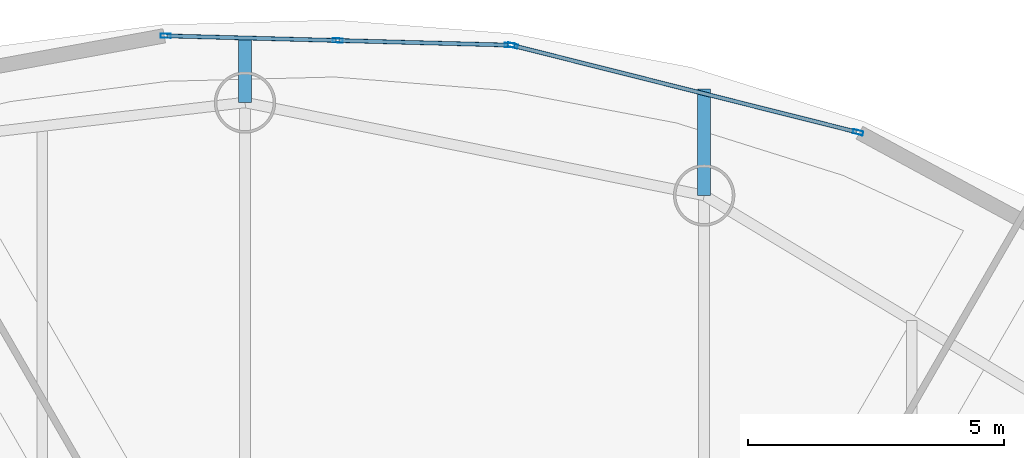
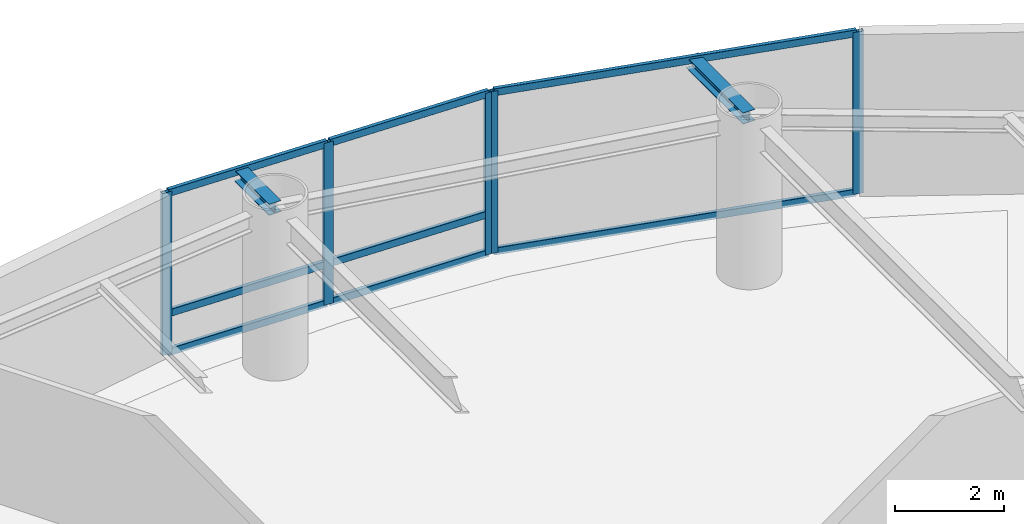
# One storey, part 12 of 20: 13 members, 2 beams, 2 elements without a shape of their own.
"""IFC4 building model written with IfcOpenShell, lengths in metres."""

import ifcopenshell
import ifcopenshell.guid

model = None  # the IFC model being written
_history = None  # IfcOwnerHistory: only IFC2X3 demands one
_inside = {}  # id of a spatial element -> (the spatial element, [elements in it])
_under = {}  # id of a project, library or spatial element -> (it, [spatial elements below it])
_declared = {}  # id of a project -> (the project, [libraries it declares])
_typed = {}  # id of a type object -> (the type object, [elements of that type])
_made_of = {}  # id of a material, layer set ... -> (it, [elements and type objects made of it])


def new_model(schema):
    """Start an empty IFC model of exactly this schema.

    Asked for "IFC4X3", IfcOpenShell would pick the latest addendum, in which some entities
    have other attributes; the version numbers below select the first issue.
    IFC2X3 requires an IfcOwnerHistory on every rooted entity: one is made here for all.
    """
    global model, _history
    if schema == "IFC4X3":
        model = ifcopenshell.file(schema_version=(4, 3, 0, 0))
    else:
        model = ifcopenshell.file(schema=schema)
    _inside.clear()
    _under.clear()
    _declared.clear()
    _typed.clear()
    _made_of.clear()
    _history = None
    if model.schema == "IFC2X3":
        org = make("IfcOrganization", Name="unknown")
        user = make(
            "IfcPersonAndOrganization",
            ThePerson=make("IfcPerson", FamilyName="unknown"),
            TheOrganization=org,
        )
        app = make(
            "IfcApplication",
            ApplicationDeveloper=org,
            Version="unknown",
            ApplicationFullName="unknown",
            ApplicationIdentifier="unknown",
        )
        _history = make(
            "IfcOwnerHistory",
            OwningUser=user,
            OwningApplication=app,
            ChangeAction="ADDED",
            CreationDate=0,
        )
    return model


def make(cls, **values):
    """One entity of the class cls with the attributes given. An attribute that is None is left unset."""
    return model.create_entity(
        cls, **{name: value for name, value in values.items() if value is not None}
    )


def rooted(cls, **values):
    """An entity with a GlobalId (a new one), such as an element, a storey or a relation."""
    return make(cls, GlobalId=ifcopenshell.guid.new(), OwnerHistory=_history, **values)


def si_unit(unit_type, name, prefix=None):
    """IfcSIUnit, for example si_unit("LENGTHUNIT", "METRE", prefix="MILLI")."""
    return make("IfcSIUnit", UnitType=unit_type, Prefix=prefix, Name=name)


def assignment(units):
    """IfcUnitAssignment: the units of a project."""
    return None if units is None else make("IfcUnitAssignment", Units=units)


def point(xyz):
    """IfcCartesianPoint."""
    return None if xyz is None else make("IfcCartesianPoint", Coordinates=xyz)


def direction(xyz):
    """IfcDirection."""
    return None if xyz is None else make("IfcDirection", DirectionRatios=xyz)


def frame(location, z_axis=None, x_axis=None):
    """IfcAxis2Placement3D, a coordinate frame: its origin and axes. An axis left out is left unset."""
    return make(
        "IfcAxis2Placement3D",
        Location=point(location),
        Axis=direction(z_axis),
        RefDirection=direction(x_axis),
    )


def frame_2d(location, x_axis=None):
    """IfcAxis2Placement2D, a coordinate frame in the plane: its origin and x axis."""
    return make(
        "IfcAxis2Placement2D", Location=point(location), RefDirection=direction(x_axis)
    )


def origin():
    """The frame at (0, 0, 0) with its axes left unset."""
    return frame((0.0, 0.0, 0.0))


def origin_2d():
    """The frame at (0, 0) in the plane with its x axis left unset."""
    return frame_2d((0.0, 0.0))


def place(relative_to, where):
    """IfcLocalPlacement: puts the frame where relative to a parent placement (None: the world)."""
    return make(
        "IfcLocalPlacement", PlacementRelTo=relative_to, RelativePlacement=where
    )


def context(
    kind, dimensions, precision=None, world=None, true_north=None, identifier=None
):
    """IfcGeometricRepresentationContext, for example the 3D "Model" context."""
    return make(
        "IfcGeometricRepresentationContext",
        ContextIdentifier=identifier,
        ContextType=kind,
        CoordinateSpaceDimension=dimensions,
        Precision=precision,
        WorldCoordinateSystem=world,
        TrueNorth=true_north,
    )


def subcontext(parent, identifier, kind, view, scale=None):
    """IfcGeometricRepresentationSubContext, for example "Body" below "Model"."""
    return make(
        "IfcGeometricRepresentationSubContext",
        ContextIdentifier=identifier,
        ContextType=kind,
        ParentContext=parent,
        TargetScale=scale,
        TargetView=view,
    )


def project(units=None, contexts=None):
    """IfcProject with its units and contexts."""
    return rooted(
        "IfcProject",
        Name="project",
        RepresentationContexts=contexts,
        UnitsInContext=assignment(units),
    )


def spatial(cls, under=None, at=None, **own):
    """A site, building, storey or space (cls), placed at a placement, below another one or the project."""
    s = rooted(cls, ObjectPlacement=at, **own)
    if under is not None:
        _under.setdefault(under.id(), (under, []))[1].append(s)
    return s


def profile(cls, at=None, kind="AREA", **sizes):
    """A parametric profile (cls). Its sizes go by their IFC names, for example OverallWidth=200.0."""
    return make(cls, ProfileType=kind, Position=at, **sizes)


def hollow_rectangle(**sizes):
    """IfcRectangleHollowProfileDef."""
    return profile("IfcRectangleHollowProfileDef", **sizes)


def i_section(**sizes):
    """IfcIShapeProfileDef."""
    return profile("IfcIShapeProfileDef", **sizes)


def extrude(swept, where, along, depth):
    """IfcExtrudedAreaSolid: the profile swept, set in the frame where, extruded along a direction by depth."""
    return make(
        "IfcExtrudedAreaSolid",
        SweptArea=swept,
        Position=where,
        ExtrudedDirection=direction(along),
        Depth=depth,
    )


def shape(context_of_items, identifier, shape_type, items):
    """IfcShapeRepresentation: the items that make up one representation, for example the "Body"."""
    return make(
        "IfcShapeRepresentation",
        ContextOfItems=context_of_items,
        RepresentationIdentifier=identifier,
        RepresentationType=shape_type,
        Items=items,
    )


def material(Name=None, Category=None):
    """IfcMaterial."""
    return make("IfcMaterial", Name=Name, Category=Category)


def layer(
    of_material, thickness, ventilated=None, Name=None, Category=None, Priority=None
):
    """IfcMaterialLayer: one layer of a wall or slab, of a material (None: an air gap)."""
    return make(
        "IfcMaterialLayer",
        Material=of_material,
        LayerThickness=thickness,
        IsVentilated=ventilated,
        Name=Name,
        Category=Category,
        Priority=Priority,
    )


def layer_set(layers, Name=None):
    """IfcMaterialLayerSet."""
    return make("IfcMaterialLayerSet", MaterialLayers=layers, LayerSetName=Name)


def material_profile(
    of_material, cross_section, Name=None, Category=None, Priority=None
):
    """IfcMaterialProfile: a cross section and its material."""
    return make(
        "IfcMaterialProfile",
        Name=Name,
        Material=of_material,
        Profile=cross_section,
        Priority=Priority,
        Category=Category,
    )


def profile_set(profiles, Name=None, composite=None):
    """IfcMaterialProfileSet."""
    return make(
        "IfcMaterialProfileSet",
        Name=Name,
        MaterialProfiles=profiles,
        CompositeProfile=composite,
    )


def made_of(thing, what):
    """Note that an element or type object is made of a material, layer set ...; save() writes the relation."""
    if what is not None:
        _made_of.setdefault(what.id(), (what, []))[1].append(thing)
    return thing


def type_object(cls, material=None, **own):
    """A type object (cls), such as IfcWallType, which elements share."""
    return made_of(rooted(cls, **own), material)


def element(
    cls,
    number,
    at=None,
    inside=None,
    cuts=None,
    type_object=None,
    material=None,
    context=None,
    identifier="Body",
    shape_type=None,
    held_by="IfcProductDefinitionShape",
    body=None,
    shapes=None,
    **own,
):
    """One element of the class cls, such as IfcWall. Its Tag is "e" and its number.

    at: its placement. inside: the storey or other place that contains it. cuts: it is an
    opening in that element (IfcRelVoidsElement). A single representation is given by context,
    identifier, shape_type and body (its items); several are given by shapes. held_by: the class
    of the entity that holds the representations. save() writes the other relations.
    """
    e = rooted(cls, Tag="e%d" % number, ObjectPlacement=at, **own)
    if body is not None:
        shapes = [shape(context, identifier, shape_type, body)]
    if shapes is not None:
        e.Representation = make(held_by, Representations=shapes)
    if inside is not None:
        _inside.setdefault(inside.id(), (inside, []))[1].append(e)
    if cuts is not None:
        rooted(
            "IfcRelVoidsElement", RelatingBuildingElement=cuts, RelatedOpeningElement=e
        )
    if type_object is not None:
        _typed.setdefault(type_object.id(), (type_object, []))[1].append(e)
    return made_of(e, material)


def aggregate(whole, parts):
    """IfcRelAggregates: a whole, such as a stair, and the parts it consists of."""
    return rooted("IfcRelAggregates", RelatingObject=whole, RelatedObjects=parts)


def save(model, path):
    """Write the relations noted so far, then the file.

    IfcRelAggregates (storeys below a building ...), IfcRelContainedInSpatialStructure (elements
    in a storey), IfcRelDefinesByType, IfcRelAssociatesMaterial and IfcRelDeclares: one each for
    every whole, place, type object, material and project.
    """
    for whole, parts in _under.values():
        aggregate(whole, parts)
    for where, things in _inside.values():
        rooted(
            "IfcRelContainedInSpatialStructure",
            RelatedElements=things,
            RelatingStructure=where,
        )
    for kind, things in _typed.values():
        rooted("IfcRelDefinesByType", RelatedObjects=things, RelatingType=kind)
    for what, things in _made_of.values():
        rooted("IfcRelAssociatesMaterial", RelatedObjects=things, RelatingMaterial=what)
    for by, libraries in _declared.values():
        rooted("IfcRelDeclares", RelatingContext=by, RelatedDefinitions=libraries)
    model.write(path)


model = new_model("IFC4")

# Units and contexts
model_context = context("Model", 3, precision=1e-05, world=origin(), true_north=direction((0.0, 1.0)))
body_context = subcontext(model_context, "Body", "Model", "MODEL_VIEW")
ifc_project = project(units=[si_unit("LENGTHUNIT", "METRE"), si_unit("AREAUNIT", "SQUARE_METRE"), si_unit("VOLUMEUNIT", "CUBIC_METRE"), si_unit("PLANEANGLEUNIT", "RADIAN"), si_unit("MASSUNIT", "GRAM", prefix="KILO")], contexts=[model_context])

# Site, building, storey
site_placement = place(None, origin())
site = spatial("IfcSite", under=ifc_project, at=site_placement, CompositionType="ELEMENT")
building_placement = place(site_placement, origin())
building = spatial("IfcBuilding", under=site, at=building_placement, Name="Bramvorn Convention Spire", CompositionType="ELEMENT")
storey_placement = place(building_placement, frame((0.0, 0.0, 175.050048828125)))
storey = spatial("IfcBuildingStorey", under=building, at=storey_placement, Name="L44", CompositionType="ELEMENT", Elevation=175.050048828125)

# Beams
ifc_material_1 = material(Name="Steel CSA G40.21 Grade 350 (350W)", Category="steel")
ifc_material_profile_1 = material_profile(ifc_material_1, i_section(OverallWidth=0.25390625, OverallDepth=0.2529296875, WebThickness=0.008544921875, FlangeThickness=0.01416015625, FilletRadius=0.011962890625, at=origin_2d()))
ifc_profile_set_1 = profile_set([ifc_material_profile_1], Name="Steel CSA G40.21 Grade 350 (350W) - W250X73")
beam_type = type_object("IfcBeamType", Name="BM-W250X73", PredefinedType="BEAM", material=ifc_profile_set_1)
beam_1_placement = place(storey_placement, frame((42.38916015625, 44.772216796875, 3.493408203125), z_axis=(0.0, 1.0, 0.0), x_axis=(-1.0, 0.0, 0.0)))
element("IfcBeam", 1, at=beam_1_placement, inside=storey, type_object=beam_type, Name="L44 slab-edge cantilever tip beam MC06", PredefinedType="BEAM", context=body_context, shape_type="SweptSolid", body=[
    extrude(i_section(OverallWidth=0.25390625, OverallDepth=0.2529296875, WebThickness=0.008544921875, FlangeThickness=0.01416015625, FilletRadius=0.011962890625, at=origin_2d()), origin(), (0.0, 0.0, 1.0), 2.082275390625),
])
beam_2_placement = place(storey_placement, frame((33.416259765625, 46.58837890625, 3.493408203125), z_axis=(0.0, 1.0, 0.0), x_axis=(-1.0, 0.0, 0.0)))
element("IfcBeam", 2, at=beam_2_placement, inside=storey, type_object=beam_type, Name="L44 slab-edge cantilever tip beam MC07", PredefinedType="BEAM", context=body_context, shape_type="SweptSolid", body=[
    extrude(i_section(OverallWidth=0.25390625, OverallDepth=0.2529296875, WebThickness=0.008544921875, FlangeThickness=0.01416015625, FilletRadius=0.011962890625, at=origin_2d()), origin(), (0.0, 0.0, 1.0), 1.273681640625),
])

# Curtain wall, members
ifc_material_2 = material(Name="Anodised Bronze Unitised Curtain Wall", Category="aluminium")
ifc_layer = layer(ifc_material_2, 0.179931640625)
ifc_layer_set = layer_set([ifc_layer], Name="Anodised Bronze Unitised Curtain Wall - CW-OFF-FRIT")
curtain_wall_type = type_object("IfcCurtainWallType", Name="CW-OFF-FRIT", PredefinedType="USERDEFINED", material=ifc_layer_set)
curtain_wall_1_placement = place(storey_placement, origin())
curtain_wall_1 = element("IfcCurtainWall", 3, at=curtain_wall_1_placement, inside=storey, type_object=curtain_wall_type, Name="L44 fritted glass curtain wall 08", ObjectType="UNITISED CURTAIN WALL", PredefinedType="USERDEFINED")
ifc_material_3 = material(Name="Anodised Bronze Aluminium 6063-T6", Category="aluminium")
ifc_material_profile_2 = material_profile(ifc_material_3, hollow_rectangle(XDim=0.080078125, YDim=0.199951171875, WallThickness=0.00390625, InnerFilletRadius=0.0009765625, OuterFilletRadius=0.00390625, at=origin_2d()))
ifc_profile_set_2 = profile_set([ifc_material_profile_2], Name="Anodised Bronze Aluminium 6063-T6 - CWM80X200")
member_type_1 = type_object("IfcMemberType", Name="CW-MUL-180", PredefinedType="MULLION", material=ifc_profile_set_2)
member_1_placement = place(storey_placement, frame((38.648681640625, 47.701171875, 0.0), z_axis=(0.0, 0.0, 1.0), x_axis=(0.24378605546, 0.969829036049, 0.0)))
member_1 = element("IfcMember", 4, at=member_1_placement, type_object=member_type_1, Name="CW3 mullion 1", PredefinedType="MULLION", context=body_context, shape_type="SweptSolid", body=[
    extrude(hollow_rectangle(XDim=0.080078125, YDim=0.199951171875, WallThickness=0.00390625, InnerFilletRadius=0.0009765625, OuterFilletRadius=0.00390625, at=origin_2d()), origin(), (0.0, 0.0, 1.0), 3.619873046875),
])
member_2_placement = place(storey_placement, frame((45.396240234375, 46.005126953125, 0.0), z_axis=(0.0, 0.0, 1.0), x_axis=(0.24378605546, 0.969829036049, 0.0)))
member_2 = element("IfcMember", 5, at=member_2_placement, type_object=member_type_1, Name="CW3 mullion 2", PredefinedType="MULLION", context=body_context, shape_type="SweptSolid", body=[
    extrude(hollow_rectangle(XDim=0.080078125, YDim=0.199951171875, WallThickness=0.00390625, InnerFilletRadius=0.0009765625, OuterFilletRadius=0.00390625, at=origin_2d()), origin(), (0.0, 0.0, 1.0), 3.619873046875),
])

curtain_wall_2_placement = place(storey_placement, origin())
curtain_wall_2 = element("IfcCurtainWall", 6, at=curtain_wall_2_placement, inside=storey, type_object=curtain_wall_type, Name="L44 fritted glass curtain wall 09", ObjectType="UNITISED CURTAIN WALL", PredefinedType="USERDEFINED")
member_3_placement = place(storey_placement, frame((31.867431640625, 47.890869140625, 0.0), z_axis=(0.0, 0.0, 1.0), x_axis=(0.026988101849, 0.999635754842, 0.0)))
member_3 = element("IfcMember", 7, at=member_3_placement, type_object=member_type_1, Name="CW3 mullion 1", PredefinedType="MULLION", context=body_context, shape_type="SweptSolid", body=[
    extrude(hollow_rectangle(XDim=0.080078125, YDim=0.199951171875, WallThickness=0.00390625, InnerFilletRadius=0.0009765625, OuterFilletRadius=0.00390625, at=origin_2d()), origin(), (0.0, 0.0, 1.0), 3.619873046875),
])
member_4_placement = place(storey_placement, frame((35.228515625, 47.800048828125, 0.0), z_axis=(0.0, 0.0, 1.0), x_axis=(0.026988101849, 0.999635754842, 0.0)))
member_4 = element("IfcMember", 8, at=member_4_placement, type_object=member_type_1, Name="CW3 mullion 2", PredefinedType="MULLION", context=body_context, shape_type="SweptSolid", body=[
    extrude(hollow_rectangle(XDim=0.080078125, YDim=0.199951171875, WallThickness=0.00390625, InnerFilletRadius=0.0009765625, OuterFilletRadius=0.00390625, at=origin_2d()), origin(), (0.0, 0.0, 1.0), 3.619873046875),
])
member_5_placement = place(storey_placement, frame((38.589599609375, 47.709228515625, 0.0), z_axis=(0.0, 0.0, 1.0), x_axis=(0.026988101849, 0.999635754842, 0.0)))
member_5 = element("IfcMember", 9, at=member_5_placement, type_object=member_type_1, Name="CW3 mullion 3", PredefinedType="MULLION", context=body_context, shape_type="SweptSolid", body=[
    extrude(hollow_rectangle(XDim=0.080078125, YDim=0.199951171875, WallThickness=0.00390625, InnerFilletRadius=0.0009765625, OuterFilletRadius=0.00390625, at=origin_2d()), origin(), (0.0, 0.0, 1.0), 3.619873046875),
])

# Member
ifc_material_profile_3 = material_profile(ifc_material_3, hollow_rectangle(XDim=0.080078125, YDim=0.159912109375, WallThickness=0.00390625, InnerFilletRadius=0.0009765625, OuterFilletRadius=0.00390625, at=origin_2d()))
ifc_profile_set_3 = profile_set([ifc_material_profile_3], Name="Anodised Bronze Aluminium 6063-T6 - CWT80X160")
member_type_2 = type_object("IfcMemberType", Name="CW-TRN-150", PredefinedType="USERDEFINED", material=ifc_profile_set_3)
member_6_placement = place(storey_placement, frame((38.677734375, 47.69384765625, 0.030029296875), z_axis=(0.969825200582, -0.243801313197, 0.0), x_axis=(0.243801313197, 0.969825200582, 0.0)))
member_6 = element("IfcMember", 10, at=member_6_placement, type_object=member_type_2, Name="CW3 transom 1.1", ObjectType="TRANSOM", PredefinedType="USERDEFINED", context=body_context, shape_type="SweptSolid", body=[
    extrude(hollow_rectangle(XDim=0.080078125, YDim=0.159912109375, WallThickness=0.00390625, InnerFilletRadius=0.0009765625, OuterFilletRadius=0.00390625, at=origin_2d()), origin(), (0.0, 0.0, 1.0), 6.897705078125),
])

member_7_placement = place(storey_placement, frame((38.677734375, 47.69384765625, 3.58984375), z_axis=(0.969825200582, -0.243801313197, 0.0), x_axis=(0.243801313197, 0.969825200582, 0.0)))
member_7 = element("IfcMember", 11, at=member_7_placement, type_object=member_type_2, Name="CW3 transom 1.2", ObjectType="TRANSOM", PredefinedType="USERDEFINED", context=body_context, shape_type="SweptSolid", body=[
    extrude(hollow_rectangle(XDim=0.080078125, YDim=0.159912109375, WallThickness=0.00390625, InnerFilletRadius=0.0009765625, OuterFilletRadius=0.00390625, at=origin_2d()), origin(), (0.0, 0.0, 1.0), 6.897705078125),
])

aggregate(curtain_wall_1, [member_1, member_2, member_6, member_7])

member_8_placement = place(storey_placement, frame((31.8974609375, 47.889892578125, 0.030029296875), z_axis=(0.999635832803, -0.026985214035, 0.0), x_axis=(0.026985214035, 0.999635832803, 0.0)))
member_8 = element("IfcMember", 12, at=member_8_placement, type_object=member_type_2, Name="CW3 transom 1.1", ObjectType="TRANSOM", PredefinedType="USERDEFINED", context=body_context, shape_type="SweptSolid", body=[
    extrude(hollow_rectangle(XDim=0.080078125, YDim=0.159912109375, WallThickness=0.00390625, InnerFilletRadius=0.0009765625, OuterFilletRadius=0.00390625, at=origin_2d()), origin(), (0.0, 0.0, 1.0), 3.30224609375),
])

member_9_placement = place(storey_placement, frame((31.8974609375, 47.889892578125, 0.89990234375), z_axis=(0.999635832803, -0.026985214035, 0.0), x_axis=(0.026985214035, 0.999635832803, 0.0)))
member_9 = element("IfcMember", 13, at=member_9_placement, type_object=member_type_2, Name="CW3 transom 1.2", ObjectType="TRANSOM", PredefinedType="USERDEFINED", context=body_context, shape_type="SweptSolid", body=[
    extrude(hollow_rectangle(XDim=0.080078125, YDim=0.159912109375, WallThickness=0.00390625, InnerFilletRadius=0.0009765625, OuterFilletRadius=0.00390625, at=origin_2d()), origin(), (0.0, 0.0, 1.0), 3.30224609375),
])

member_10_placement = place(storey_placement, frame((31.8974609375, 47.889892578125, 3.58984375), z_axis=(0.999635832803, -0.026985214035, 0.0), x_axis=(0.026985214035, 0.999635832803, 0.0)))
member_10 = element("IfcMember", 14, at=member_10_placement, type_object=member_type_2, Name="CW3 transom 1.3", ObjectType="TRANSOM", PredefinedType="USERDEFINED", context=body_context, shape_type="SweptSolid", body=[
    extrude(hollow_rectangle(XDim=0.080078125, YDim=0.159912109375, WallThickness=0.00390625, InnerFilletRadius=0.0009765625, OuterFilletRadius=0.00390625, at=origin_2d()), origin(), (0.0, 0.0, 1.0), 3.30224609375),
])

member_11_placement = place(storey_placement, frame((35.258544921875, 47.79931640625, 0.030029296875), z_axis=(0.999635832803, -0.026985214035, 0.0), x_axis=(0.026985214035, 0.999635832803, 0.0)))
member_11 = element("IfcMember", 15, at=member_11_placement, type_object=member_type_2, Name="CW3 transom 2.1", ObjectType="TRANSOM", PredefinedType="USERDEFINED", context=body_context, shape_type="SweptSolid", body=[
    extrude(hollow_rectangle(XDim=0.080078125, YDim=0.159912109375, WallThickness=0.00390625, InnerFilletRadius=0.0009765625, OuterFilletRadius=0.00390625, at=origin_2d()), origin(), (0.0, 0.0, 1.0), 3.30224609375),
])

member_12_placement = place(storey_placement, frame((35.258544921875, 47.79931640625, 0.89990234375), z_axis=(0.999635832803, -0.026985214035, 0.0), x_axis=(0.026985214035, 0.999635832803, 0.0)))
member_12 = element("IfcMember", 16, at=member_12_placement, type_object=member_type_2, Name="CW3 transom 2.2", ObjectType="TRANSOM", PredefinedType="USERDEFINED", context=body_context, shape_type="SweptSolid", body=[
    extrude(hollow_rectangle(XDim=0.080078125, YDim=0.159912109375, WallThickness=0.00390625, InnerFilletRadius=0.0009765625, OuterFilletRadius=0.00390625, at=origin_2d()), origin(), (0.0, 0.0, 1.0), 3.30224609375),
])

member_13_placement = place(storey_placement, frame((35.258544921875, 47.79931640625, 3.58984375), z_axis=(0.999635832803, -0.026985214035, 0.0), x_axis=(0.026985214035, 0.999635832803, 0.0)))
member_13 = element("IfcMember", 17, at=member_13_placement, type_object=member_type_2, Name="CW3 transom 2.3", ObjectType="TRANSOM", PredefinedType="USERDEFINED", context=body_context, shape_type="SweptSolid", body=[
    extrude(hollow_rectangle(XDim=0.080078125, YDim=0.159912109375, WallThickness=0.00390625, InnerFilletRadius=0.0009765625, OuterFilletRadius=0.00390625, at=origin_2d()), origin(), (0.0, 0.0, 1.0), 3.30224609375),
])

aggregate(curtain_wall_2, [member_3, member_4, member_5, member_8, member_9, member_10, member_11, member_12, member_13])

save(model, "model.ifc")
